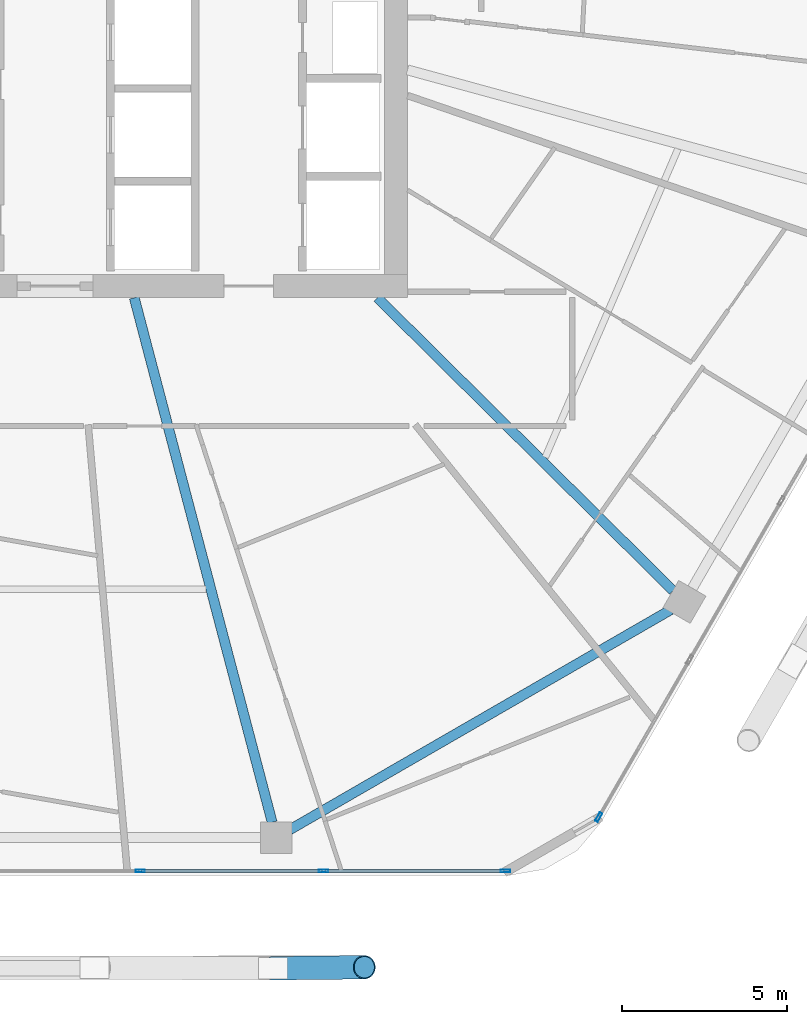
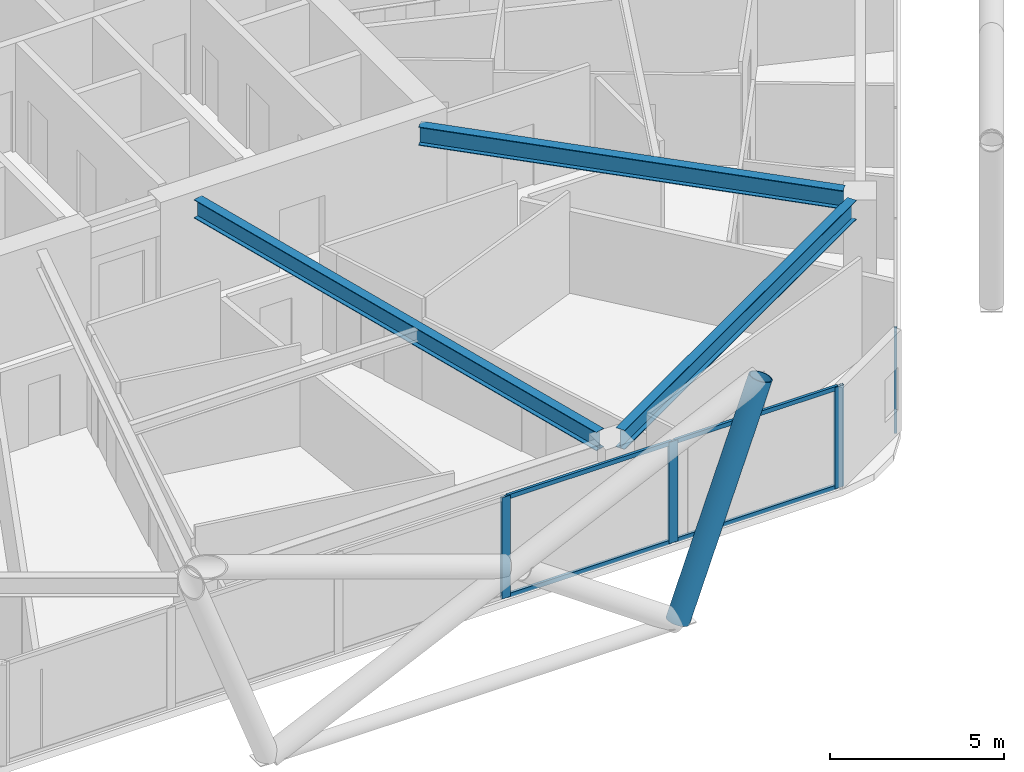
# One storey, part 7 of 27: 9 members, 3 beams, 2 elements without a shape of their own.
"""IFC4 building model written with IfcOpenShell, lengths in metres."""

import ifcopenshell
import ifcopenshell.guid

model = None  # the IFC model being written
_history = None  # IfcOwnerHistory: only IFC2X3 demands one
_inside = {}  # id of a spatial element -> (the spatial element, [elements in it])
_under = {}  # id of a project, library or spatial element -> (it, [spatial elements below it])
_declared = {}  # id of a project -> (the project, [libraries it declares])
_typed = {}  # id of a type object -> (the type object, [elements of that type])
_made_of = {}  # id of a material, layer set ... -> (it, [elements and type objects made of it])


def new_model(schema):
    """Start an empty IFC model of exactly this schema.

    Asked for "IFC4X3", IfcOpenShell would pick the latest addendum, in which some entities
    have other attributes; the version numbers below select the first issue.
    IFC2X3 requires an IfcOwnerHistory on every rooted entity: one is made here for all.
    """
    global model, _history
    if schema == "IFC4X3":
        model = ifcopenshell.file(schema_version=(4, 3, 0, 0))
    else:
        model = ifcopenshell.file(schema=schema)
    _inside.clear()
    _under.clear()
    _declared.clear()
    _typed.clear()
    _made_of.clear()
    _history = None
    if model.schema == "IFC2X3":
        org = make("IfcOrganization", Name="unknown")
        user = make(
            "IfcPersonAndOrganization",
            ThePerson=make("IfcPerson", FamilyName="unknown"),
            TheOrganization=org,
        )
        app = make(
            "IfcApplication",
            ApplicationDeveloper=org,
            Version="unknown",
            ApplicationFullName="unknown",
            ApplicationIdentifier="unknown",
        )
        _history = make(
            "IfcOwnerHistory",
            OwningUser=user,
            OwningApplication=app,
            ChangeAction="ADDED",
            CreationDate=0,
        )
    return model


def make(cls, **values):
    """One entity of the class cls with the attributes given. An attribute that is None is left unset."""
    return model.create_entity(
        cls, **{name: value for name, value in values.items() if value is not None}
    )


def rooted(cls, **values):
    """An entity with a GlobalId (a new one), such as an element, a storey or a relation."""
    return make(cls, GlobalId=ifcopenshell.guid.new(), OwnerHistory=_history, **values)


def si_unit(unit_type, name, prefix=None):
    """IfcSIUnit, for example si_unit("LENGTHUNIT", "METRE", prefix="MILLI")."""
    return make("IfcSIUnit", UnitType=unit_type, Prefix=prefix, Name=name)


def assignment(units):
    """IfcUnitAssignment: the units of a project."""
    return None if units is None else make("IfcUnitAssignment", Units=units)


def point(xyz):
    """IfcCartesianPoint."""
    return None if xyz is None else make("IfcCartesianPoint", Coordinates=xyz)


def direction(xyz):
    """IfcDirection."""
    return None if xyz is None else make("IfcDirection", DirectionRatios=xyz)


def frame(location, z_axis=None, x_axis=None):
    """IfcAxis2Placement3D, a coordinate frame: its origin and axes. An axis left out is left unset."""
    return make(
        "IfcAxis2Placement3D",
        Location=point(location),
        Axis=direction(z_axis),
        RefDirection=direction(x_axis),
    )


def frame_2d(location, x_axis=None):
    """IfcAxis2Placement2D, a coordinate frame in the plane: its origin and x axis."""
    return make(
        "IfcAxis2Placement2D", Location=point(location), RefDirection=direction(x_axis)
    )


def origin():
    """The frame at (0, 0, 0) with its axes left unset."""
    return frame((0.0, 0.0, 0.0))


def origin_2d():
    """The frame at (0, 0) in the plane with its x axis left unset."""
    return frame_2d((0.0, 0.0))


def place(relative_to, where):
    """IfcLocalPlacement: puts the frame where relative to a parent placement (None: the world)."""
    return make(
        "IfcLocalPlacement", PlacementRelTo=relative_to, RelativePlacement=where
    )


def context(
    kind, dimensions, precision=None, world=None, true_north=None, identifier=None
):
    """IfcGeometricRepresentationContext, for example the 3D "Model" context."""
    return make(
        "IfcGeometricRepresentationContext",
        ContextIdentifier=identifier,
        ContextType=kind,
        CoordinateSpaceDimension=dimensions,
        Precision=precision,
        WorldCoordinateSystem=world,
        TrueNorth=true_north,
    )


def subcontext(parent, identifier, kind, view, scale=None):
    """IfcGeometricRepresentationSubContext, for example "Body" below "Model"."""
    return make(
        "IfcGeometricRepresentationSubContext",
        ContextIdentifier=identifier,
        ContextType=kind,
        ParentContext=parent,
        TargetScale=scale,
        TargetView=view,
    )


def project(units=None, contexts=None):
    """IfcProject with its units and contexts."""
    return rooted(
        "IfcProject",
        Name="project",
        RepresentationContexts=contexts,
        UnitsInContext=assignment(units),
    )


def spatial(cls, under=None, at=None, **own):
    """A site, building, storey or space (cls), placed at a placement, below another one or the project."""
    s = rooted(cls, ObjectPlacement=at, **own)
    if under is not None:
        _under.setdefault(under.id(), (under, []))[1].append(s)
    return s


def profile(cls, at=None, kind="AREA", **sizes):
    """A parametric profile (cls). Its sizes go by their IFC names, for example OverallWidth=200.0."""
    return make(cls, ProfileType=kind, Position=at, **sizes)


def hollow_rectangle(**sizes):
    """IfcRectangleHollowProfileDef."""
    return profile("IfcRectangleHollowProfileDef", **sizes)


def hollow_circle(**sizes):
    """IfcCircleHollowProfileDef."""
    return profile("IfcCircleHollowProfileDef", **sizes)


def i_section(**sizes):
    """IfcIShapeProfileDef."""
    return profile("IfcIShapeProfileDef", **sizes)


def extrude(swept, where, along, depth):
    """IfcExtrudedAreaSolid: the profile swept, set in the frame where, extruded along a direction by depth."""
    return make(
        "IfcExtrudedAreaSolid",
        SweptArea=swept,
        Position=where,
        ExtrudedDirection=direction(along),
        Depth=depth,
    )


def shape(context_of_items, identifier, shape_type, items):
    """IfcShapeRepresentation: the items that make up one representation, for example the "Body"."""
    return make(
        "IfcShapeRepresentation",
        ContextOfItems=context_of_items,
        RepresentationIdentifier=identifier,
        RepresentationType=shape_type,
        Items=items,
    )


def material(Name=None, Category=None):
    """IfcMaterial."""
    return make("IfcMaterial", Name=Name, Category=Category)


def material_profile(
    of_material, cross_section, Name=None, Category=None, Priority=None
):
    """IfcMaterialProfile: a cross section and its material."""
    return make(
        "IfcMaterialProfile",
        Name=Name,
        Material=of_material,
        Profile=cross_section,
        Priority=Priority,
        Category=Category,
    )


def profile_set(profiles, Name=None, composite=None):
    """IfcMaterialProfileSet."""
    return make(
        "IfcMaterialProfileSet",
        Name=Name,
        MaterialProfiles=profiles,
        CompositeProfile=composite,
    )


def made_of(thing, what):
    """Note that an element or type object is made of a material, layer set ...; save() writes the relation."""
    if what is not None:
        _made_of.setdefault(what.id(), (what, []))[1].append(thing)
    return thing


def type_object(cls, material=None, **own):
    """A type object (cls), such as IfcWallType, which elements share."""
    return made_of(rooted(cls, **own), material)


def element(
    cls,
    number,
    at=None,
    inside=None,
    cuts=None,
    type_object=None,
    material=None,
    context=None,
    identifier="Body",
    shape_type=None,
    held_by="IfcProductDefinitionShape",
    body=None,
    shapes=None,
    **own,
):
    """One element of the class cls, such as IfcWall. Its Tag is "e" and its number.

    at: its placement. inside: the storey or other place that contains it. cuts: it is an
    opening in that element (IfcRelVoidsElement). A single representation is given by context,
    identifier, shape_type and body (its items); several are given by shapes. held_by: the class
    of the entity that holds the representations. save() writes the other relations.
    """
    e = rooted(cls, Tag="e%d" % number, ObjectPlacement=at, **own)
    if body is not None:
        shapes = [shape(context, identifier, shape_type, body)]
    if shapes is not None:
        e.Representation = make(held_by, Representations=shapes)
    if inside is not None:
        _inside.setdefault(inside.id(), (inside, []))[1].append(e)
    if cuts is not None:
        rooted(
            "IfcRelVoidsElement", RelatingBuildingElement=cuts, RelatedOpeningElement=e
        )
    if type_object is not None:
        _typed.setdefault(type_object.id(), (type_object, []))[1].append(e)
    return made_of(e, material)


def aggregate(whole, parts):
    """IfcRelAggregates: a whole, such as a stair, and the parts it consists of."""
    return rooted("IfcRelAggregates", RelatingObject=whole, RelatedObjects=parts)


def save(model, path):
    """Write the relations noted so far, then the file.

    IfcRelAggregates (storeys below a building ...), IfcRelContainedInSpatialStructure (elements
    in a storey), IfcRelDefinesByType, IfcRelAssociatesMaterial and IfcRelDeclares: one each for
    every whole, place, type object, material and project.
    """
    for whole, parts in _under.values():
        aggregate(whole, parts)
    for where, things in _inside.values():
        rooted(
            "IfcRelContainedInSpatialStructure",
            RelatedElements=things,
            RelatingStructure=where,
        )
    for kind, things in _typed.values():
        rooted("IfcRelDefinesByType", RelatedObjects=things, RelatingType=kind)
    for what, things in _made_of.values():
        rooted("IfcRelAssociatesMaterial", RelatedObjects=things, RelatingMaterial=what)
    for by, libraries in _declared.values():
        rooted("IfcRelDeclares", RelatingContext=by, RelatedDefinitions=libraries)
    model.write(path)


model = new_model("IFC4")

# Units and contexts
model_context = context("Model", 3, precision=1e-05, world=origin(), true_north=direction((0.0, 1.0)))
body_context = subcontext(model_context, "Body", "Model", "MODEL_VIEW")
ifc_project = project(units=[si_unit("LENGTHUNIT", "METRE"), si_unit("AREAUNIT", "SQUARE_METRE"), si_unit("VOLUMEUNIT", "CUBIC_METRE"), si_unit("PLANEANGLEUNIT", "RADIAN"), si_unit("MASSUNIT", "GRAM", prefix="KILO")], contexts=[model_context])

# Site, building, storey
site_placement = place(None, origin())
site = spatial("IfcSite", under=ifc_project, at=site_placement, CompositionType="ELEMENT")
building_placement = place(site_placement, origin())
building = spatial("IfcBuilding", under=site, at=building_placement, Name="Zuhravey Tower", CompositionType="ELEMENT")
storey_placement = place(building_placement, frame((0.0, 0.0, 215.0)))
storey = spatial("IfcBuildingStorey", under=building, at=storey_placement, Name="L54", CompositionType="ELEMENT", Elevation=215.0)

# Curtain wall, member
ifc_material_1 = material(Name="Thermally broken anodised aluminium", Category="aluminium")
curtain_wall_type = type_object("IfcCurtainWallType", Name="Zone 1-2 Residential Curtain Wall CW3", PredefinedType="NOTDEFINED", material=ifc_material_1)
curtain_wall_1_placement = place(storey_placement, origin())
curtain_wall_1 = element("IfcCurtainWall", 1, at=curtain_wall_1_placement, inside=storey, type_object=curtain_wall_type, Name="L54 CW3 CW-L54-F6-1", PredefinedType="NOTDEFINED")
ifc_material_2 = material(Name="Anodised aluminium", Category="aluminium")
ifc_material_profile_1 = material_profile(ifc_material_2, hollow_rectangle(XDim=0.090087890625, YDim=0.284912109375, WallThickness=0.0048828125, at=origin_2d()), Name="ALU-RHS-90x285x5")
ifc_profile_set_1 = profile_set([ifc_material_profile_1], Name="Anodised aluminium")
member_type_1 = type_object("IfcMemberType", Name="Curtain-Wall Mullion 90x180", PredefinedType="MULLION", material=ifc_profile_set_1)
member_1_placement = place(storey_placement, frame((52.63330078125, 6.443359375, 0.0), z_axis=(0.0, 0.0, 1.0), x_axis=(0.866025138215, -0.500000459979, 0.0)))
member_1 = element("IfcMember", 2, at=member_1_placement, type_object=member_type_1, Name="CW3 mullion 6", PredefinedType="MULLION", context=body_context, shape_type="SweptSolid", body=[
    extrude(hollow_rectangle(XDim=0.090087890625, YDim=0.284912109375, WallThickness=0.0048828125, at=origin_2d()), origin(), (0.0, 0.0, 1.0), 3.550048828125),
])
aggregate(curtain_wall_1, [member_1])

# Curtain wall, members
curtain_wall_2_placement = place(storey_placement, origin())
curtain_wall_2 = element("IfcCurtainWall", 3, at=curtain_wall_2_placement, inside=storey, type_object=curtain_wall_type, Name="L54 CW3 CW-L54-F5-1", PredefinedType="NOTDEFINED")
member_2_placement = place(storey_placement, frame((49.816162109375, 4.81689453125, 0.0), z_axis=(0.0, 0.0, 1.0), x_axis=(0.0, -1.0, 0.0)))
member_2 = element("IfcMember", 4, at=member_2_placement, type_object=member_type_1, Name="CW3 mullion 1", PredefinedType="MULLION", context=body_context, shape_type="SweptSolid", body=[
    extrude(hollow_rectangle(XDim=0.090087890625, YDim=0.284912109375, WallThickness=0.0048828125, at=origin_2d()), origin(), (0.0, 0.0, 1.0), 3.550048828125),
])
member_3_placement = place(storey_placement, frame((44.316650390625, 4.81689453125, 0.0), z_axis=(0.0, 0.0, 1.0), x_axis=(0.0, -1.0, 0.0)))
member_3 = element("IfcMember", 5, at=member_3_placement, type_object=member_type_1, Name="CW3 mullion 2", PredefinedType="MULLION", context=body_context, shape_type="SweptSolid", body=[
    extrude(hollow_rectangle(XDim=0.090087890625, YDim=0.284912109375, WallThickness=0.0048828125, at=origin_2d()), origin(), (0.0, 0.0, 1.0), 3.550048828125),
])
member_4_placement = place(storey_placement, frame((38.772216796875, 4.81689453125, 0.0), z_axis=(0.0, 0.0, 1.0), x_axis=(0.0, -1.0, 0.0)))
member_4 = element("IfcMember", 6, at=member_4_placement, type_object=member_type_1, Name="CW3 mullion 3", PredefinedType="MULLION", context=body_context, shape_type="SweptSolid", body=[
    extrude(hollow_rectangle(XDim=0.090087890625, YDim=0.284912109375, WallThickness=0.0048828125, at=origin_2d()), origin(), (0.0, 0.0, 1.0), 3.550048828125),
])
ifc_material_profile_2 = material_profile(ifc_material_2, hollow_rectangle(XDim=0.090087890625, YDim=0.14990234375, WallThickness=0.0048828125, at=origin_2d()), Name="ALU-RHS-90x150x5")
ifc_profile_set_2 = profile_set([ifc_material_profile_2], Name="Anodised aluminium")
member_type_2 = type_object("IfcMemberType", Name="Curtain-Wall Transom 90x150", PredefinedType="USERDEFINED", material=ifc_profile_set_2)
member_5_placement = place(storey_placement, frame((49.77099609375, 4.81689453125, 0.044921875), z_axis=(-1.0, 0.0, 0.0), x_axis=(0.0, -1.0, 0.0)))
member_5 = element("IfcMember", 7, at=member_5_placement, type_object=member_type_2, Name="CW3 transom 1.1", ObjectType="TRANSOM", PredefinedType="USERDEFINED", context=body_context, shape_type="SweptSolid", body=[
    extrude(hollow_rectangle(XDim=0.090087890625, YDim=0.14990234375, WallThickness=0.0048828125, at=origin_2d()), origin(), (0.0, 0.0, 1.0), 5.409423828125),
])
member_6_placement = place(storey_placement, frame((49.77099609375, 4.81689453125, 3.5048828125), z_axis=(-1.0, 0.0, 0.0), x_axis=(0.0, -1.0, 0.0)))
member_6 = element("IfcMember", 8, at=member_6_placement, type_object=member_type_2, Name="CW3 transom 1.2", ObjectType="TRANSOM", PredefinedType="USERDEFINED", context=body_context, shape_type="SweptSolid", body=[
    extrude(hollow_rectangle(XDim=0.090087890625, YDim=0.14990234375, WallThickness=0.0048828125, at=origin_2d()), origin(), (0.0, 0.0, 1.0), 5.409423828125),
])
member_7_placement = place(storey_placement, frame((44.271728515625, 4.81689453125, 0.044921875), z_axis=(-1.0, 0.0, 0.0), x_axis=(0.0, -1.0, 0.0)))
member_7 = element("IfcMember", 9, at=member_7_placement, type_object=member_type_2, Name="CW3 transom 2.1", ObjectType="TRANSOM", PredefinedType="USERDEFINED", context=body_context, shape_type="SweptSolid", body=[
    extrude(hollow_rectangle(XDim=0.090087890625, YDim=0.14990234375, WallThickness=0.0048828125, at=origin_2d()), origin(), (0.0, 0.0, 1.0), 5.45458984375),
])
member_8_placement = place(storey_placement, frame((44.271728515625, 4.81689453125, 3.5048828125), z_axis=(-1.0, 0.0, 0.0), x_axis=(0.0, -1.0, 0.0)))
member_8 = element("IfcMember", 10, at=member_8_placement, type_object=member_type_2, Name="CW3 transom 2.2", ObjectType="TRANSOM", PredefinedType="USERDEFINED", context=body_context, shape_type="SweptSolid", body=[
    extrude(hollow_rectangle(XDim=0.090087890625, YDim=0.14990234375, WallThickness=0.0048828125, at=origin_2d()), origin(), (0.0, 0.0, 1.0), 5.45458984375),
])
aggregate(curtain_wall_2, [member_2, member_3, member_4, member_5, member_6, member_7, member_8])

# Member
ifc_material_3 = material(Name="Steel SM460", Category="steel")
ifc_material_profile_3 = material_profile(ifc_material_3, hollow_circle(Radius=0.355712890625, WallThickness=0.031982421875, at=origin_2d()), Name="CHS-711.2x32")
ifc_profile_set_3 = profile_set([ifc_material_profile_3], Name="Steel SM460")
member_type_3 = type_object("IfcMemberType", Name="Exoskeleton Zone 2 Diagrid CHS711x32", PredefinedType="BRACE", material=ifc_profile_set_3)
member_9_placement = place(storey_placement, frame((42.788330078125, 1.876953125, -0.444091796875), z_axis=(0.342856044852, 0.003700976595, 0.939380665801), x_axis=(-0.010793920789, 0.99994174394, 0.0)))
element("IfcMember", 11, at=member_9_placement, inside=storey, type_object=member_type_3, Name="L54 Face 5 Diagrid Brace 4", PredefinedType="BRACE", context=body_context, shape_type="SweptSolid", body=[
    extrude(hollow_circle(Radius=0.355712890625, WallThickness=0.031982421875, at=origin_2d()), origin(), (0.0, 0.0, 1.0), 8.0478515625),
])

# Beams
ifc_material_4 = material(Name="Steel SM355", Category="steel")
ifc_material_profile_4 = material_profile(ifc_material_4, i_section(OverallWidth=0.300048828125, OverallDepth=0.679931640625, WebThickness=0.012939453125, FlangeThickness=0.02197265625, at=origin_2d()), Name="H-680x300x13x22")
ifc_profile_set_4 = profile_set([ifc_material_profile_4], Name="Steel SM355")
beam_type_1 = type_object("IfcBeamType", Name="Perimeter Ring Beam H680x300", PredefinedType="BEAM", material=ifc_profile_set_4)
beam_1_placement = place(storey_placement, frame((43.2958984375, 6.06591796875, 3.2099609375), z_axis=(0.866029041019, 0.499993700073, 0.0), x_axis=(-0.499993700073, 0.866029041019, 0.0)))
element("IfcBeam", 12, at=beam_1_placement, inside=storey, type_object=beam_type_1, Name="L54 PB2 BM-L54-PB-10", PredefinedType="BEAM", context=body_context, shape_type="SweptSolid", body=[
    extrude(i_section(OverallWidth=0.300048828125, OverallDepth=0.679931640625, WebThickness=0.012939453125, FlangeThickness=0.02197265625, at=origin_2d()), origin(), (0.0, 0.0, 1.0), 13.297119140625),
])
ifc_material_profile_5 = material_profile(ifc_material_4, i_section(OverallWidth=0.300048828125, OverallDepth=0.64990234375, WebThickness=0.012939453125, FlangeThickness=0.02197265625, at=origin_2d()), Name="H-650x300x13x22")
ifc_profile_set_5 = profile_set([ifc_material_profile_5], Name="Steel SM355")
beam_type_2 = type_object("IfcBeamType", Name="Radial Primary Girder H650x300", PredefinedType="BEAM", material=ifc_profile_set_5)
beam_2_placement = place(storey_placement, frame((38.5908203125, 22.14697265625, 3.22509765625), z_axis=(0.254299806285, -0.967125435775, 0.0), x_axis=(0.967125435775, 0.254299806285, 0.0)))
element("IfcBeam", 13, at=beam_2_placement, inside=storey, type_object=beam_type_2, Name="L54 RG2 BM-L54-RAD-10", PredefinedType="BEAM", context=body_context, shape_type="SweptSolid", body=[
    extrude(i_section(OverallWidth=0.300048828125, OverallDepth=0.64990234375, WebThickness=0.012939453125, FlangeThickness=0.02197265625, at=origin_2d()), origin(), (0.0, 0.0, 1.0), 16.396728515625),
])
beam_3_placement = place(storey_placement, frame((45.945556640625, 22.14697265625, 3.22509765625), z_axis=(0.710406645816, -0.703791444663, 0.0), x_axis=(0.703791444663, 0.710406645816, 0.0)))
element("IfcBeam", 14, at=beam_3_placement, inside=storey, type_object=beam_type_2, Name="L54 RG2 BM-L54-RAD-11", PredefinedType="BEAM", context=body_context, shape_type="SweptSolid", body=[
    extrude(i_section(OverallWidth=0.300048828125, OverallDepth=0.64990234375, WebThickness=0.012939453125, FlangeThickness=0.02197265625, at=origin_2d()), origin(), (0.0, 0.0, 1.0), 12.5849609375),
])

save(model, "model.ifc")
